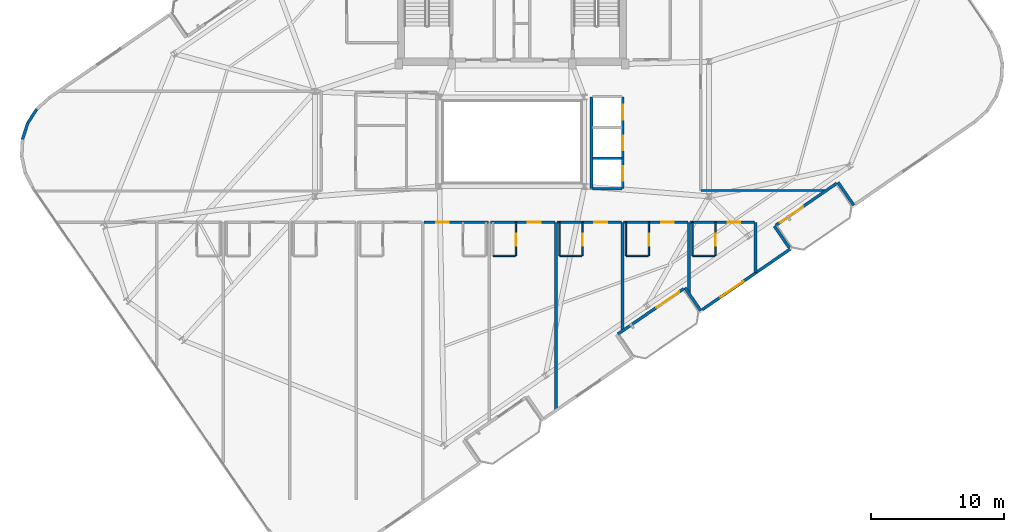
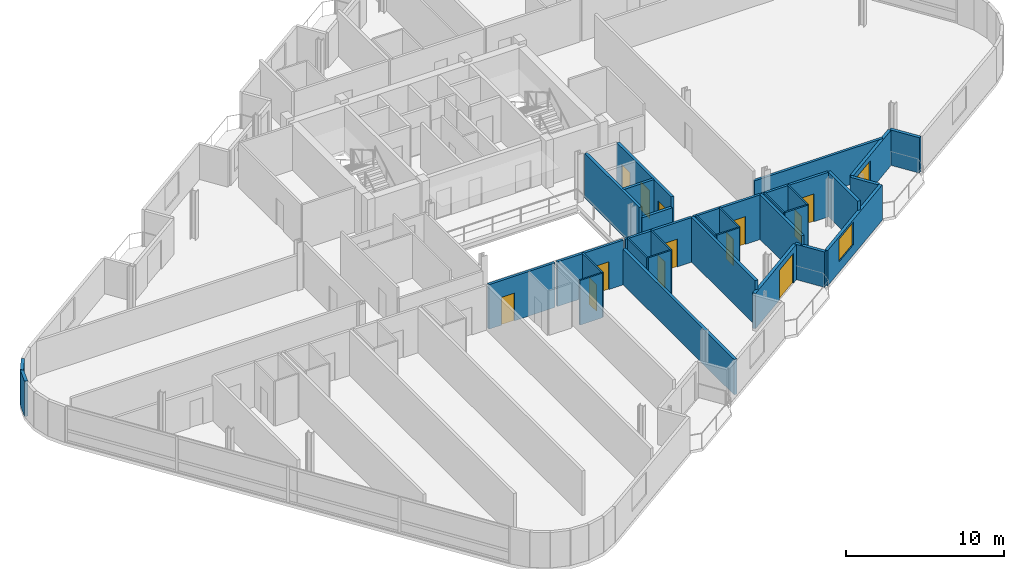
# One storey, part 15 of 22: 33 walls, 14 doors, 1 window, 15 openings.
"""IFC4 building model written with IfcOpenShell, lengths in metres."""

from ifc_helpers import new_model, si_unit, direction, frame, frame_2d, origin, place, context, subcontext, project, spatial, rectangle, extrude, material, layer, layer_set, type_object, element, fill, save


model = new_model("IFC4")

# Units and contexts
model_context = context("Model", 3, precision=1e-05, world=origin(), true_north=direction((0.0, 1.0)))
body_context = subcontext(model_context, "Body", "Model", "MODEL_VIEW")
ifc_project = project(units=[si_unit("LENGTHUNIT", "METRE"), si_unit("AREAUNIT", "SQUARE_METRE"), si_unit("VOLUMEUNIT", "CUBIC_METRE"), si_unit("PLANEANGLEUNIT", "RADIAN"), si_unit("MASSUNIT", "GRAM", prefix="KILO")], contexts=[model_context])

# Site, building, storey
site_placement = place(None, origin())
site = spatial("IfcSite", under=ifc_project, at=site_placement, CompositionType="ELEMENT")
building_placement = place(site_placement, origin())
building = spatial("IfcBuilding", under=site, at=building_placement, Name="Varnelok Gate Tower", CompositionType="ELEMENT")
storey_placement = place(building_placement, frame((0.0, 0.0, 280.39990234375)))
storey = spatial("IfcBuildingStorey", under=building, at=storey_placement, Name="L72", CompositionType="ELEMENT", Elevation=280.39990234375)

# Wall, opening, door
ifc_material_1 = material(Name="Concrete C45/55", Category="concrete")
ifc_layer_1 = layer(ifc_material_1, 0.219970703125)
ifc_layer_set_1 = layer_set([ifc_layer_1], Name="Concrete C45/55")
wall_type_1 = type_object("IfcWallType", Name="EW-BALC-220", PredefinedType="SOLIDWALL", material=ifc_layer_set_1)
wall_1_placement = place(storey_placement, frame((52.102783203125, 11.85693359375, 0.0), z_axis=(0.0, 0.0, 1.0), x_axis=(-0.823534636215, -0.567265989598, 0.0)))
wall_1 = element("IfcWall", 1, at=wall_1_placement, inside=storey, type_object=wall_type_1, Name="L72 South Terrace Envelope Wall 2", PredefinedType="SOLIDWALL", context=body_context, shape_type="SweptSolid", body=[
    extrude(rectangle(XDim=6.0, YDim=0.219970703125, at=frame_2d((3.0, 0.0))), origin(), (0.0, 0.0, 1.0), 2.72998046875),
])
opening_1_placement = place(wall_1_placement, frame((0.39990234375, 0.0, 0.0)))
opening_1 = element("IfcOpeningElement", 2, at=opening_1_placement, cuts=wall_1, Name="Opening BD-2", PredefinedType="OPENING", context=body_context, shape_type="SweptSolid", body=[
    extrude(rectangle(XDim=2.10009765625, YDim=2.300048828125, at=frame_2d((1.050048828125, 1.14990234375))), frame((0.0, 0.119873046875, 0.0), z_axis=(0.0, -1.0, 0.0), x_axis=(1.0, 0.0, 0.0)), (0.0, 0.0, 1.0), 0.239990234375),
])
ifc_material_2 = material(Name="Anodized Aluminum Alloy 6063-T6", Category="aluminium")
door_type_1 = type_object("IfcDoorType", Name="DR-EXT-SLID2100", OperationType="SLIDING_TO_LEFT", PredefinedType="DOOR", material=ifc_material_2)
door_1_placement = place(opening_1_placement, origin())
door_1 = element("IfcDoor", 3, at=door_1_placement, inside=storey, type_object=door_type_1, Name="L72 South Balcony Glazed Door 2", OperationType="SLIDING_TO_LEFT", OverallHeight=2.300048828125, OverallWidth=2.10009765625, PredefinedType="DOOR", context=body_context, shape_type="SweptSolid", body=[
    extrude(rectangle(XDim=2.10009765625, YDim=2.300048828125, at=frame_2d((1.050048828125, 1.14990234375))), frame((0.0, 0.02490234375, 0.0), z_axis=(0.0, -1.0, 0.0), x_axis=(1.0, 0.0, 0.0)), (0.0, 0.0, 1.0), 0.050048828125),
])
fill(opening_1, door_1)

wall_2_placement = place(storey_placement, frame((63.60498046875, 19.780029296875, 0.0), z_axis=(0.0, 0.0, 1.0), x_axis=(-0.823541290762, -0.567256328665, 0.0)))
wall_2 = element("IfcWall", 4, at=wall_2_placement, inside=storey, type_object=wall_type_1, Name="L72 South Terrace Envelope Wall 3", PredefinedType="SOLIDWALL", context=body_context, shape_type="SweptSolid", body=[
    extrude(rectangle(XDim=5.567138671875, YDim=0.219970703125, at=frame_2d((2.78369140625, 0.0))), origin(), (0.0, 0.0, 1.0), 2.72998046875),
])
opening_2_placement = place(wall_2_placement, frame((3.067138671875, 0.0, 0.0)))
opening_2 = element("IfcOpeningElement", 5, at=opening_2_placement, cuts=wall_2, Name="Opening BD-2", PredefinedType="OPENING", context=body_context, shape_type="SweptSolid", body=[
    extrude(rectangle(XDim=2.10009765625, YDim=2.300048828125, at=frame_2d((1.050048828125, 1.14990234375))), frame((0.0, 0.119873046875, 0.0), z_axis=(0.0, -1.0, 0.0), x_axis=(1.0, 0.0, 0.0)), (0.0, 0.0, 1.0), 0.239990234375),
])
door_2_placement = place(opening_2_placement, origin())
door_2 = element("IfcDoor", 6, at=door_2_placement, inside=storey, type_object=door_type_1, Name="L72 South Balcony Glazed Door 3", OperationType="SLIDING_TO_LEFT", OverallHeight=2.300048828125, OverallWidth=2.10009765625, PredefinedType="DOOR", context=body_context, shape_type="SweptSolid", body=[
    extrude(rectangle(XDim=2.10009765625, YDim=2.300048828125, at=frame_2d((1.050048828125, 1.14990234375))), frame((0.0, 0.02490234375, 0.0), z_axis=(0.0, -1.0, 0.0), x_axis=(1.0, 0.0, 0.0)), (0.0, 0.0, 1.0), 0.050048828125),
])
fill(opening_2, door_2)

# Wall
wall_3_placement = place(storey_placement, frame((52.19580078125, 11.933349609375, 0.0), z_axis=(0.0, 0.0, 1.0), x_axis=(0.56729822855, -0.823512428494, 0.0)))
element("IfcWall", 7, at=wall_3_placement, inside=storey, type_object=wall_type_1, Name="L72 Perimeter Facade Closure Wall 12", PredefinedType="SOLIDWALL", context=body_context, shape_type="SweptSolid", body=[
    extrude(rectangle(XDim=2.10009765625, YDim=0.219970703125, at=frame_2d((1.050048828125, 0.0))), origin(), (0.0, 0.0, 1.0), 2.72998046875),
])

# Wall, opening, window
wall_4_placement = place(storey_placement, frame((53.489990234375, 10.27490234375, 0.0), z_axis=(0.0, 0.0, 1.0), x_axis=(0.823530942962, 0.56727135128, 0.0)))
wall_4 = element("IfcWall", 8, at=wall_4_placement, inside=storey, type_object=wall_type_1, Name="L72 Perimeter Facade Closure Wall 13", PredefinedType="SOLIDWALL", context=body_context, shape_type="SweptSolid", body=[
    extrude(rectangle(XDim=8.03515625, YDim=0.219970703125, at=frame_2d((4.017578125, 0.0))), origin(), (0.0, 0.0, 1.0), 2.72998046875),
])
opening_3_placement = place(wall_4_placement, frame((1.661865234375, 0.0, 0.800048828125)))
opening_3 = element("IfcOpeningElement", 9, at=opening_3_placement, cuts=wall_4, Name="Opening WN4", PredefinedType="OPENING", context=body_context, shape_type="SweptSolid", body=[
    extrude(rectangle(XDim=2.10009765625, YDim=1.75, at=frame_2d((1.050048828125, 0.875))), frame((0.0, 0.119873046875, 0.0), z_axis=(0.0, -1.0, 0.0), x_axis=(1.0, 0.0, 0.0)), (0.0, 0.0, 1.0), 0.239990234375),
])
ifc_material_3 = material(Name="Low-E Laminated Double Glazing IGU", Category="glass")
window_type = type_object("IfcWindowType", Name="WN-SUI-2100", PartitioningType="SINGLE_PANEL", PredefinedType="WINDOW", material=ifc_material_3)
window_placement = place(opening_3_placement, origin())
window = element("IfcWindow", 10, at=window_placement, inside=storey, type_object=window_type, Name="L72 Perimeter Vision Window 13", OverallHeight=1.75, OverallWidth=2.10009765625, PartitioningType="SINGLE_PANEL", PredefinedType="WINDOW", context=body_context, shape_type="SweptSolid", body=[
    extrude(rectangle(XDim=2.10009765625, YDim=1.75, at=frame_2d((1.050048828125, 0.875))), frame((0.0, 0.030029296875, 0.0), z_axis=(0.0, -1.0, 0.0), x_axis=(1.0, 0.0, 0.0)), (0.0, 0.0, 1.0), 0.06005859375),
])
fill(opening_3, window)

# Walls
wall_5_placement = place(storey_placement, frame((60.0361328125, 14.935791015625, 0.0), z_axis=(0.0, 0.0, 1.0), x_axis=(-0.567273565974, 0.823529417415, 0.0)))
element("IfcWall", 11, at=wall_5_placement, inside=storey, type_object=wall_type_1, Name="L72 Perimeter Facade Closure Wall 14", PredefinedType="SOLIDWALL", context=body_context, shape_type="SweptSolid", body=[
    extrude(rectangle(XDim=1.97509765625, YDim=0.219970703125, at=frame_2d((0.987548828125, 0.0))), origin(), (0.0, 0.0, 1.0), 2.72998046875),
])
wall_6_placement = place(storey_placement, frame((63.6982421875, 19.8564453125, 0.0), z_axis=(0.0, 0.0, 1.0), x_axis=(0.567219383419, -0.823566737474, 0.0)))
element("IfcWall", 12, at=wall_6_placement, inside=storey, type_object=wall_type_1, Name="L72 Perimeter Facade Closure Wall 15", PredefinedType="SOLIDWALL", context=body_context, shape_type="SweptSolid", body=[
    extrude(rectangle(XDim=2.10009765625, YDim=0.219970703125, at=frame_2d((1.050048828125, 0.0))), origin(), (0.0, 0.0, 1.0), 2.72998046875),
])
for number, where, z_axis, x_axis, name in (
    (13, (3.482421875, 25.3505859375, 0.0), (0.0, 0.0, 1.0), (-0.543778157277, -0.839229000731, 0.0), "L72 Perimeter Facade Closure Wall 40"),
    (14, (2.7958984375, 24.27880859375, 0.0), (0.0, 0.0, 1.0), (-0.30817950344, -0.951328226039, 0.0), "L72 Perimeter Facade Closure Wall 41"),
):
    element("IfcWall", number, at=place(storey_placement, frame(where, z_axis=z_axis, x_axis=x_axis)), inside=storey, type_object=wall_type_1, Name=name, PredefinedType="SOLIDWALL", context=body_context, shape_type="SweptSolid", body=[
        extrude(rectangle(XDim=1.24853515625, YDim=0.219970703125, at=frame_2d((0.624267578125, 0.0))), origin(), (0.0, 0.0, 1.0), 2.72998046875),
    ])

# Wall, opening, door
ifc_material_4 = material(Name="Gypsum Plasterboard Acoustic Partition", Category="gypsum")
ifc_layer_2 = layer(ifc_material_4, 0.179931640625)
ifc_layer_set_2 = layer_set([ifc_layer_2], Name="Gypsum Plasterboard Acoustic Partition")
wall_type_2 = type_object("IfcWallType", Name="PW-CORR-180", PredefinedType="PARTITIONING", material=ifc_layer_set_2)
wall_7_placement = place(storey_placement, frame((32.580078125, 16.85009765625, 0.0), z_axis=(0.0, 0.0, 1.0), x_axis=(1.0, 0.0, 0.0)))
wall_7 = element("IfcWall", 15, at=wall_7_placement, inside=storey, type_object=wall_type_2, Name="Interior Partition", PredefinedType="PARTITIONING", context=body_context, shape_type="SweptSolid", body=[
    extrude(rectangle(XDim=4.83984375, YDim=0.179931640625, at=frame_2d((2.419921875, 0.0))), origin(), (0.0, 0.0, 1.0), 3.4501953125),
])
opening_4_placement = place(wall_7_placement, frame((0.92919921875, 0.0, 0.0)))
opening_4 = element("IfcOpeningElement", 16, at=opening_4_placement, cuts=wall_7, Name="Opening D-HT", PredefinedType="OPENING", context=body_context, shape_type="SweptSolid", body=[
    extrude(rectangle(XDim=0.949951171875, YDim=2.14990234375, at=frame_2d((0.47509765625, 1.074951171875))), frame((0.0, 0.099853515625, 0.0), z_axis=(0.0, -1.0, 0.0), x_axis=(1.0, 0.0, 0.0)), (0.0, 0.0, 1.0), 0.199951171875),
])
ifc_material_5 = material(Name="Engineered Hardwood Timber", Category="wood")
door_type_2 = type_object("IfcDoorType", Name="DR-HTL-950", OperationType="NOTDEFINED", PredefinedType="DOOR", material=ifc_material_5)
door_3_placement = place(opening_4_placement, origin())
door_3 = element("IfcDoor", 17, at=door_3_placement, inside=storey, type_object=door_type_2, Name="L72 Guest Room 06 Entrance Door", OperationType="SINGLE_SWING_LEFT", OverallHeight=2.14990234375, OverallWidth=0.949951171875, PredefinedType="DOOR", context=body_context, shape_type="SweptSolid", body=[
    extrude(rectangle(XDim=0.949951171875, YDim=2.14990234375, at=frame_2d((0.47509765625, 1.074951171875))), frame((0.0, 0.02490234375, 0.0), z_axis=(0.0, -1.0, 0.0), x_axis=(1.0, 0.0, 0.0)), (0.0, 0.0, 1.0), 0.050048828125),
])
fill(opening_4, door_3)

wall_8_placement = place(storey_placement, frame((37.580078125, 16.85009765625, 0.0), z_axis=(0.0, 0.0, 1.0), x_axis=(1.0, 0.0, 0.0)))
wall_8 = element("IfcWall", 18, at=wall_8_placement, inside=storey, type_object=wall_type_2, Name="Interior Partition", PredefinedType="PARTITIONING", context=body_context, shape_type="SweptSolid", body=[
    extrude(rectangle(XDim=4.83984375, YDim=0.179931640625, at=frame_2d((2.419921875, 0.0))), origin(), (0.0, 0.0, 1.0), 3.4501953125),
])
opening_5_placement = place(wall_8_placement, frame((2.819091796875, 0.0, 0.0)))
opening_5 = element("IfcOpeningElement", 19, at=opening_5_placement, cuts=wall_8, Name="Opening D-HT", PredefinedType="OPENING", context=body_context, shape_type="SweptSolid", body=[
    extrude(rectangle(XDim=0.949951171875, YDim=2.14990234375, at=frame_2d((0.47509765625, 1.074951171875))), frame((0.0, 0.099853515625, 0.0), z_axis=(0.0, -1.0, 0.0), x_axis=(1.0, 0.0, 0.0)), (0.0, 0.0, 1.0), 0.199951171875),
])
door_4_placement = place(opening_5_placement, origin())
door_4 = element("IfcDoor", 20, at=door_4_placement, inside=storey, type_object=door_type_2, Name="L72 Guest Room 07 Entrance Door", OperationType="SINGLE_SWING_RIGHT", OverallHeight=2.14990234375, OverallWidth=0.949951171875, PredefinedType="DOOR", context=body_context, shape_type="SweptSolid", body=[
    extrude(rectangle(XDim=0.949951171875, YDim=2.14990234375, at=frame_2d((0.47509765625, 1.074951171875))), frame((0.0, 0.02490234375, 0.0), z_axis=(0.0, -1.0, 0.0), x_axis=(1.0, 0.0, 0.0)), (0.0, 0.0, 1.0), 0.050048828125),
])
fill(opening_5, door_4)

wall_9_placement = place(storey_placement, frame((42.580078125, 16.85009765625, 0.0), z_axis=(0.0, 0.0, 1.0), x_axis=(1.0, 0.0, 0.0)))
wall_9 = element("IfcWall", 21, at=wall_9_placement, inside=storey, type_object=wall_type_2, Name="Interior Partition", PredefinedType="PARTITIONING", context=body_context, shape_type="SweptSolid", body=[
    extrude(rectangle(XDim=4.83984375, YDim=0.179931640625, at=frame_2d((2.419921875, 0.0))), origin(), (0.0, 0.0, 1.0), 3.4501953125),
])
opening_6_placement = place(wall_9_placement, frame((2.819091796875, 0.0, 0.0)))
opening_6 = element("IfcOpeningElement", 22, at=opening_6_placement, cuts=wall_9, Name="Opening D-HT", PredefinedType="OPENING", context=body_context, shape_type="SweptSolid", body=[
    extrude(rectangle(XDim=0.949951171875, YDim=2.14990234375, at=frame_2d((0.47509765625, 1.074951171875))), frame((0.0, 0.099853515625, 0.0), z_axis=(0.0, -1.0, 0.0), x_axis=(1.0, 0.0, 0.0)), (0.0, 0.0, 1.0), 0.199951171875),
])
door_5_placement = place(opening_6_placement, origin())
door_5 = element("IfcDoor", 23, at=door_5_placement, inside=storey, type_object=door_type_2, Name="L72 Guest Room 08 Entrance Door", OperationType="SINGLE_SWING_LEFT", OverallHeight=2.14990234375, OverallWidth=0.949951171875, PredefinedType="DOOR", context=body_context, shape_type="SweptSolid", body=[
    extrude(rectangle(XDim=0.949951171875, YDim=2.14990234375, at=frame_2d((0.47509765625, 1.074951171875))), frame((0.0, 0.02490234375, 0.0), z_axis=(0.0, -1.0, 0.0), x_axis=(1.0, 0.0, 0.0)), (0.0, 0.0, 1.0), 0.050048828125),
])
fill(opening_6, door_5)

wall_10_placement = place(storey_placement, frame((47.580078125, 16.85009765625, 0.0), z_axis=(0.0, 0.0, 1.0), x_axis=(1.0, 0.0, 0.0)))
wall_10 = element("IfcWall", 24, at=wall_10_placement, inside=storey, type_object=wall_type_2, Name="Interior Partition", PredefinedType="PARTITIONING", context=body_context, shape_type="SweptSolid", body=[
    extrude(rectangle(XDim=4.83984375, YDim=0.179931640625, at=frame_2d((2.419921875, 0.0))), origin(), (0.0, 0.0, 1.0), 3.4501953125),
])
opening_7_placement = place(wall_10_placement, frame((2.819091796875, 0.0, 0.0)))
opening_7 = element("IfcOpeningElement", 25, at=opening_7_placement, cuts=wall_10, Name="Opening D-HT", PredefinedType="OPENING", context=body_context, shape_type="SweptSolid", body=[
    extrude(rectangle(XDim=0.949951171875, YDim=2.14990234375, at=frame_2d((0.47509765625, 1.074951171875))), frame((0.0, 0.099853515625, 0.0), z_axis=(0.0, -1.0, 0.0), x_axis=(1.0, 0.0, 0.0)), (0.0, 0.0, 1.0), 0.199951171875),
])
door_6_placement = place(opening_7_placement, origin())
door_6 = element("IfcDoor", 26, at=door_6_placement, inside=storey, type_object=door_type_2, Name="L72 Guest Room 09 Entrance Door", OperationType="SINGLE_SWING_RIGHT", OverallHeight=2.14990234375, OverallWidth=0.949951171875, PredefinedType="DOOR", context=body_context, shape_type="SweptSolid", body=[
    extrude(rectangle(XDim=0.949951171875, YDim=2.14990234375, at=frame_2d((0.47509765625, 1.074951171875))), frame((0.0, 0.02490234375, 0.0), z_axis=(0.0, -1.0, 0.0), x_axis=(1.0, 0.0, 0.0)), (0.0, 0.0, 1.0), 0.050048828125),
])
fill(opening_7, door_6)

wall_11_placement = place(storey_placement, frame((52.580078125, 16.85009765625, 0.0), z_axis=(0.0, 0.0, 1.0), x_axis=(1.0, 0.0, 0.0)))
wall_11 = element("IfcWall", 27, at=wall_11_placement, inside=storey, type_object=wall_type_2, Name="Interior Partition", PredefinedType="PARTITIONING", context=body_context, shape_type="SweptSolid", body=[
    extrude(rectangle(XDim=4.83984375, YDim=0.179931640625, at=frame_2d((2.419921875, 0.0))), origin(), (0.0, 0.0, 1.0), 3.4501953125),
])
opening_8_placement = place(wall_11_placement, frame((2.819091796875, 0.0, 0.0)))
opening_8 = element("IfcOpeningElement", 28, at=opening_8_placement, cuts=wall_11, Name="Opening D-HT", PredefinedType="OPENING", context=body_context, shape_type="SweptSolid", body=[
    extrude(rectangle(XDim=0.949951171875, YDim=2.14990234375, at=frame_2d((0.47509765625, 1.074951171875))), frame((0.0, 0.099853515625, 0.0), z_axis=(0.0, -1.0, 0.0), x_axis=(1.0, 0.0, 0.0)), (0.0, 0.0, 1.0), 0.199951171875),
])
door_7_placement = place(opening_8_placement, origin())
door_7 = element("IfcDoor", 29, at=door_7_placement, inside=storey, type_object=door_type_2, Name="L72 Guest Room 10 Entrance Door", OperationType="SINGLE_SWING_LEFT", OverallHeight=2.14990234375, OverallWidth=0.949951171875, PredefinedType="DOOR", context=body_context, shape_type="SweptSolid", body=[
    extrude(rectangle(XDim=0.949951171875, YDim=2.14990234375, at=frame_2d((0.47509765625, 1.074951171875))), frame((0.0, 0.02490234375, 0.0), z_axis=(0.0, -1.0, 0.0), x_axis=(1.0, 0.0, 0.0)), (0.0, 0.0, 1.0), 0.050048828125),
])
fill(opening_8, door_7)

# Walls
wall_12_placement = place(storey_placement, frame((53.389892578125, 19.239990234375, 0.0), z_axis=(0.0, 0.0, 1.0), x_axis=(1.0, 0.0, 0.0)))
element("IfcWall", 30, at=wall_12_placement, inside=storey, type_object=wall_type_2, Name="Interior Partition", PredefinedType="PARTITIONING", context=body_context, shape_type="SweptSolid", body=[
    extrude(rectangle(XDim=9.378173828125, YDim=0.179931640625, at=frame_2d((4.68896484375, 0.0))), origin(), (0.0, 0.0, 1.0), 2.739013671875),
])
ifc_layer_3 = layer(ifc_material_4, 0.114990234375)
ifc_layer_set_3 = layer_set([ifc_layer_3], Name="Gypsum Plasterboard Acoustic Partition")
wall_type_3 = type_object("IfcWallType", Name="PW-ENS-125", PredefinedType="PARTITIONING", material=ifc_layer_set_3)
wall_13_placement = place(storey_placement, frame((37.800048828125, 14.330078125, 0.0), z_axis=(0.0, 0.0, 1.0), x_axis=(1.0, 0.0, 0.0)))
element("IfcWall", 31, at=wall_13_placement, inside=storey, type_object=wall_type_3, Name="Interior Partition", PredefinedType="PARTITIONING", context=body_context, shape_type="SweptSolid", body=[
    extrude(rectangle(XDim=1.64990234375, YDim=0.114990234375, at=frame_2d((0.824951171875, 0.0))), origin(), (0.0, 0.0, 1.0), 3.4501953125),
])

# Wall, opening, door
wall_14_placement = place(storey_placement, frame((39.489990234375, 14.330078125, 0.0), z_axis=(0.0, 0.0, 1.0), x_axis=(0.0, 1.0, 0.0)))
wall_14 = element("IfcWall", 32, at=wall_14_placement, inside=storey, type_object=wall_type_3, Name="Interior Partition", PredefinedType="PARTITIONING", context=body_context, shape_type="SweptSolid", body=[
    extrude(rectangle(XDim=2.52001953125, YDim=0.114990234375, at=frame_2d((1.260009765625, 0.0))), origin(), (0.0, 0.0, 1.0), 3.4501953125),
])
opening_9_placement = place(wall_14_placement, frame((0.760009765625, 0.0, 0.0)))
opening_9 = element("IfcOpeningElement", 33, at=opening_9_placement, cuts=wall_14, Name="Opening D-WC", PredefinedType="OPENING", context=body_context, shape_type="SweptSolid", body=[
    extrude(rectangle(XDim=0.89990234375, YDim=2.050048828125, at=frame_2d((0.449951171875, 1.02490234375))), frame((0.0, 0.0673828125, 0.0), z_axis=(0.0, -1.0, 0.0), x_axis=(1.0, 0.0, 0.0)), (0.0, 0.0, 1.0), 0.135009765625),
])
door_type_3 = type_object("IfcDoorType", Name="DR-BATH-900", OperationType="NOTDEFINED", PredefinedType="DOOR", material=ifc_material_5)
door_8_placement = place(opening_9_placement, origin())
door_8 = element("IfcDoor", 34, at=door_8_placement, inside=storey, type_object=door_type_3, Name="L72 Guest En-Suite 07 Door", OperationType="SINGLE_SWING_LEFT", OverallHeight=2.050048828125, OverallWidth=0.89990234375, PredefinedType="DOOR", context=body_context, shape_type="SweptSolid", body=[
    extrude(rectangle(XDim=0.89990234375, YDim=2.050048828125, at=frame_2d((0.449951171875, 1.02490234375))), frame((0.0, 0.02490234375, 0.0), z_axis=(0.0, -1.0, 0.0), x_axis=(1.0, 0.0, 0.0)), (0.0, 0.0, 1.0), 0.050048828125),
])
fill(opening_9, door_8)

# Wall
wall_15_placement = place(storey_placement, frame((42.800048828125, 14.330078125, 0.0), z_axis=(0.0, 0.0, 1.0), x_axis=(1.0, 0.0, 0.0)))
element("IfcWall", 35, at=wall_15_placement, inside=storey, type_object=wall_type_3, Name="Interior Partition", PredefinedType="PARTITIONING", context=body_context, shape_type="SweptSolid", body=[
    extrude(rectangle(XDim=1.64990234375, YDim=0.114990234375, at=frame_2d((0.824951171875, 0.0))), origin(), (0.0, 0.0, 1.0), 3.4501953125),
])

# Wall, opening, door
wall_16_placement = place(storey_placement, frame((44.489990234375, 14.330078125, 0.0), z_axis=(0.0, 0.0, 1.0), x_axis=(0.0, 1.0, 0.0)))
wall_16 = element("IfcWall", 36, at=wall_16_placement, inside=storey, type_object=wall_type_3, Name="Interior Partition", PredefinedType="PARTITIONING", context=body_context, shape_type="SweptSolid", body=[
    extrude(rectangle(XDim=2.52001953125, YDim=0.114990234375, at=frame_2d((1.260009765625, 0.0))), origin(), (0.0, 0.0, 1.0), 3.4501953125),
])
opening_10_placement = place(wall_16_placement, frame((0.760009765625, 0.0, 0.0)))
opening_10 = element("IfcOpeningElement", 37, at=opening_10_placement, cuts=wall_16, Name="Opening D-WC", PredefinedType="OPENING", context=body_context, shape_type="SweptSolid", body=[
    extrude(rectangle(XDim=0.89990234375, YDim=2.050048828125, at=frame_2d((0.449951171875, 1.02490234375))), frame((0.0, 0.0673828125, 0.0), z_axis=(0.0, -1.0, 0.0), x_axis=(1.0, 0.0, 0.0)), (0.0, 0.0, 1.0), 0.135009765625),
])
door_9_placement = place(opening_10_placement, origin())
door_9 = element("IfcDoor", 38, at=door_9_placement, inside=storey, type_object=door_type_3, Name="L72 Guest En-Suite 08 Door", OperationType="SINGLE_SWING_LEFT", OverallHeight=2.050048828125, OverallWidth=0.89990234375, PredefinedType="DOOR", context=body_context, shape_type="SweptSolid", body=[
    extrude(rectangle(XDim=0.89990234375, YDim=2.050048828125, at=frame_2d((0.449951171875, 1.02490234375))), frame((0.0, 0.02490234375, 0.0), z_axis=(0.0, -1.0, 0.0), x_axis=(1.0, 0.0, 0.0)), (0.0, 0.0, 1.0), 0.050048828125),
])
fill(opening_10, door_9)

# Walls
wall_17_placement = place(storey_placement, frame((42.760009765625, 14.330078125, 0.0), z_axis=(0.0, 0.0, 1.0), x_axis=(0.0, 1.0, 0.0)))
element("IfcWall", 39, at=wall_17_placement, inside=storey, type_object=wall_type_3, Name="Interior Partition", PredefinedType="PARTITIONING", context=body_context, shape_type="SweptSolid", body=[
    extrude(rectangle(XDim=2.52001953125, YDim=0.114990234375, at=frame_2d((1.260009765625, 0.0))), origin(), (0.0, 0.0, 1.0), 3.4501953125),
])
wall_18_placement = place(storey_placement, frame((47.800048828125, 14.330078125, 0.0), z_axis=(0.0, 0.0, 1.0), x_axis=(1.0, 0.0, 0.0)))
element("IfcWall", 40, at=wall_18_placement, inside=storey, type_object=wall_type_3, Name="Interior Partition", PredefinedType="PARTITIONING", context=body_context, shape_type="SweptSolid", body=[
    extrude(rectangle(XDim=1.64990234375, YDim=0.114990234375, at=frame_2d((0.824951171875, 0.0))), origin(), (0.0, 0.0, 1.0), 3.4501953125),
])

# Wall, opening, door
wall_19_placement = place(storey_placement, frame((49.489990234375, 14.330078125, 0.0), z_axis=(0.0, 0.0, 1.0), x_axis=(0.0, 1.0, 0.0)))
wall_19 = element("IfcWall", 41, at=wall_19_placement, inside=storey, type_object=wall_type_3, Name="Interior Partition", PredefinedType="PARTITIONING", context=body_context, shape_type="SweptSolid", body=[
    extrude(rectangle(XDim=2.52001953125, YDim=0.114990234375, at=frame_2d((1.260009765625, 0.0))), origin(), (0.0, 0.0, 1.0), 3.4501953125),
])
opening_11_placement = place(wall_19_placement, frame((0.760009765625, 0.0, 0.0)))
opening_11 = element("IfcOpeningElement", 42, at=opening_11_placement, cuts=wall_19, Name="Opening D-WC", PredefinedType="OPENING", context=body_context, shape_type="SweptSolid", body=[
    extrude(rectangle(XDim=0.89990234375, YDim=2.050048828125, at=frame_2d((0.449951171875, 1.02490234375))), frame((0.0, 0.0673828125, 0.0), z_axis=(0.0, -1.0, 0.0), x_axis=(1.0, 0.0, 0.0)), (0.0, 0.0, 1.0), 0.135009765625),
])
door_10_placement = place(opening_11_placement, origin())
door_10 = element("IfcDoor", 43, at=door_10_placement, inside=storey, type_object=door_type_3, Name="L72 Guest En-Suite 09 Door", OperationType="SINGLE_SWING_LEFT", OverallHeight=2.050048828125, OverallWidth=0.89990234375, PredefinedType="DOOR", context=body_context, shape_type="SweptSolid", body=[
    extrude(rectangle(XDim=0.89990234375, YDim=2.050048828125, at=frame_2d((0.449951171875, 1.02490234375))), frame((0.0, 0.02490234375, 0.0), z_axis=(0.0, -1.0, 0.0), x_axis=(1.0, 0.0, 0.0)), (0.0, 0.0, 1.0), 0.050048828125),
])
fill(opening_11, door_10)

# Walls
wall_20_placement = place(storey_placement, frame((47.760009765625, 14.330078125, 0.0), z_axis=(0.0, 0.0, 1.0), x_axis=(0.0, 1.0, 0.0)))
element("IfcWall", 44, at=wall_20_placement, inside=storey, type_object=wall_type_3, Name="Interior Partition", PredefinedType="PARTITIONING", context=body_context, shape_type="SweptSolid", body=[
    extrude(rectangle(XDim=2.52001953125, YDim=0.114990234375, at=frame_2d((1.260009765625, 0.0))), origin(), (0.0, 0.0, 1.0), 3.4501953125),
])
wall_21_placement = place(storey_placement, frame((52.800048828125, 14.330078125, 0.0), z_axis=(0.0, 0.0, 1.0), x_axis=(1.0, 0.0, 0.0)))
element("IfcWall", 45, at=wall_21_placement, inside=storey, type_object=wall_type_3, Name="Interior Partition", PredefinedType="PARTITIONING", context=body_context, shape_type="SweptSolid", body=[
    extrude(rectangle(XDim=1.64990234375, YDim=0.114990234375, at=frame_2d((0.824951171875, 0.0))), origin(), (0.0, 0.0, 1.0), 3.4501953125),
])

# Wall, opening, door
wall_22_placement = place(storey_placement, frame((54.489990234375, 14.330078125, 0.0), z_axis=(0.0, 0.0, 1.0), x_axis=(0.0, 1.0, 0.0)))
wall_22 = element("IfcWall", 46, at=wall_22_placement, inside=storey, type_object=wall_type_3, Name="Interior Partition", PredefinedType="PARTITIONING", context=body_context, shape_type="SweptSolid", body=[
    extrude(rectangle(XDim=2.52001953125, YDim=0.114990234375, at=frame_2d((1.260009765625, 0.0))), origin(), (0.0, 0.0, 1.0), 3.4501953125),
])
opening_12_placement = place(wall_22_placement, frame((0.760009765625, 0.0, 0.0)))
opening_12 = element("IfcOpeningElement", 47, at=opening_12_placement, cuts=wall_22, Name="Opening D-WC", PredefinedType="OPENING", context=body_context, shape_type="SweptSolid", body=[
    extrude(rectangle(XDim=0.89990234375, YDim=2.050048828125, at=frame_2d((0.449951171875, 1.02490234375))), frame((0.0, 0.0673828125, 0.0), z_axis=(0.0, -1.0, 0.0), x_axis=(1.0, 0.0, 0.0)), (0.0, 0.0, 1.0), 0.135009765625),
])
door_11_placement = place(opening_12_placement, origin())
door_11 = element("IfcDoor", 48, at=door_11_placement, inside=storey, type_object=door_type_3, Name="L72 Guest En-Suite 10 Door", OperationType="SINGLE_SWING_LEFT", OverallHeight=2.050048828125, OverallWidth=0.89990234375, PredefinedType="DOOR", context=body_context, shape_type="SweptSolid", body=[
    extrude(rectangle(XDim=0.89990234375, YDim=2.050048828125, at=frame_2d((0.449951171875, 1.02490234375))), frame((0.0, 0.02490234375, 0.0), z_axis=(0.0, -1.0, 0.0), x_axis=(1.0, 0.0, 0.0)), (0.0, 0.0, 1.0), 0.050048828125),
])
fill(opening_12, door_11)

# Walls
wall_23_placement = place(storey_placement, frame((52.760009765625, 14.330078125, 0.0), z_axis=(0.0, 0.0, 1.0), x_axis=(0.0, 1.0, 0.0)))
element("IfcWall", 49, at=wall_23_placement, inside=storey, type_object=wall_type_3, Name="Interior Partition", PredefinedType="PARTITIONING", context=body_context, shape_type="SweptSolid", body=[
    extrude(rectangle(XDim=2.52001953125, YDim=0.114990234375, at=frame_2d((1.260009765625, 0.0))), origin(), (0.0, 0.0, 1.0), 3.4501953125),
])
ifc_layer_4 = layer(ifc_material_4, 0.205078125)
ifc_layer_set_4 = layer_set([ifc_layer_4], Name="Gypsum Plasterboard Acoustic Partition")
wall_type_4 = type_object("IfcWallType", Name="PW-PARTY-200", PredefinedType="PARTITIONING", material=ifc_layer_set_4)
wall_24_placement = place(storey_placement, frame((42.5, 2.72900390625, 0.0), z_axis=(0.0, 0.0, 1.0), x_axis=(0.0, 1.0, 0.0)))
element("IfcWall", 50, at=wall_24_placement, inside=storey, type_object=wall_type_4, Name="L72 South Party Wall 7", PredefinedType="PARTITIONING", context=body_context, shape_type="SweptSolid", body=[
    extrude(rectangle(XDim=14.12109375, YDim=0.205078125, at=frame_2d((7.060546875, 0.0))), origin(), (0.0, 0.0, 1.0), 2.739013671875),
])
wall_25_placement = place(storey_placement, frame((47.5, 8.722900390625, 0.0), z_axis=(0.0, 0.0, 1.0), x_axis=(0.0, 1.0, 0.0)))
element("IfcWall", 51, at=wall_25_placement, inside=storey, type_object=wall_type_4, Name="L72 South Party Wall 8", PredefinedType="PARTITIONING", context=body_context, shape_type="SweptSolid", body=[
    extrude(rectangle(XDim=8.127197265625, YDim=0.205078125, at=frame_2d((4.0634765625, 0.0))), origin(), (0.0, 0.0, 1.0), 3.4501953125),
])
wall_26_placement = place(storey_placement, frame((52.5, 11.527099609375, 0.0), z_axis=(0.0, 0.0, 1.0), x_axis=(0.0, 1.0, 0.0)))
element("IfcWall", 52, at=wall_26_placement, inside=storey, type_object=wall_type_4, Name="L72 South Party Wall 9", PredefinedType="PARTITIONING", context=body_context, shape_type="SweptSolid", body=[
    extrude(rectangle(XDim=5.322998046875, YDim=0.205078125, at=frame_2d((2.66162109375, 0.0))), origin(), (0.0, 0.0, 1.0), 3.4501953125),
])
wall_27_placement = place(storey_placement, frame((57.5, 13.061279296875, 0.0), z_axis=(0.0, 0.0, 1.0), x_axis=(0.0, 1.0, 0.0)))
element("IfcWall", 53, at=wall_27_placement, inside=storey, type_object=wall_type_4, Name="L72 South Party Wall 10", PredefinedType="PARTITIONING", context=body_context, shape_type="SweptSolid", body=[
    extrude(rectangle(XDim=3.788818359375, YDim=0.205078125, at=frame_2d((1.89453125, 0.0))), origin(), (0.0, 0.0, 1.0), 3.4501953125),
])
ifc_material_6 = material(Name="Concrete C35/45", Category="concrete")
ifc_layer_5 = layer(ifc_material_6, 0.199951171875)
ifc_layer_set_5 = layer_set([ifc_layer_5], Name="Concrete C35/45")
wall_type_5 = type_object("IfcWallType", Name="PW-SHAFT-200", PredefinedType="PARTITIONING", material=ifc_layer_set_5)
wall_28_placement = place(storey_placement, frame((45.239990234375, 21.675048828125, 0.0), z_axis=(0.0, 0.0, 1.0), x_axis=(1.0, 0.0, 0.0)))
element("IfcWall", 54, at=wall_28_placement, inside=storey, type_object=wall_type_5, Name="L72 PH1 Divider", PredefinedType="PARTITIONING", context=body_context, shape_type="SweptSolid", body=[
    extrude(rectangle(XDim=2.219970703125, YDim=0.199951171875, at=frame_2d((1.10986328125, 0.0))), origin(), (0.0, 0.0, 1.0), 3.4501953125),
])
wall_29_placement = place(storey_placement, frame((45.239990234375, 19.3798828125, 0.0), z_axis=(0.0, 0.0, 1.0), x_axis=(1.0, 0.0, 0.0)))
element("IfcWall", 55, at=wall_29_placement, inside=storey, type_object=wall_type_5, Name="L72 PH Bank South Wall", PredefinedType="PARTITIONING", context=body_context, shape_type="SweptSolid", body=[
    extrude(rectangle(XDim=2.219970703125, YDim=0.199951171875, at=frame_2d((1.10986328125, 0.0))), origin(), (0.0, 0.0, 1.0), 2.662109375),
])
wall_30_placement = place(storey_placement, frame((45.179931640625, 19.3798828125, 0.0), z_axis=(0.0, 0.0, 1.0), x_axis=(0.0, 1.0, 0.0)))
element("IfcWall", 56, at=wall_30_placement, inside=storey, type_object=wall_type_5, Name="L72 PH Bank Atrium Wall", PredefinedType="PARTITIONING", context=body_context, shape_type="SweptSolid", body=[
    extrude(rectangle(XDim=6.900146484375, YDim=0.199951171875, at=frame_2d((3.4501953125, 0.0))), origin(), (0.0, 0.0, 1.0), 3.4501953125),
])

# Wall, openings, doors
wall_31_placement = place(storey_placement, frame((47.52001953125, 19.3798828125, 0.0), z_axis=(0.0, 0.0, 1.0), x_axis=(0.0, 1.0, 0.0)))
wall_31 = element("IfcWall", 57, at=wall_31_placement, inside=storey, type_object=wall_type_5, Name="L72 PH Bank Front Wall", PredefinedType="PARTITIONING", context=body_context, shape_type="SweptSolid", body=[
    extrude(rectangle(XDim=6.900146484375, YDim=0.199951171875, at=frame_2d((3.4501953125, 0.0))), origin(), (0.0, 0.0, 1.0), 3.4501953125),
])
opening_13_placement = place(wall_31_placement, frame((0.590087890625, 0.0, 0.0)))
opening_13 = element("IfcOpeningElement", 58, at=opening_13_placement, cuts=wall_31, Name="Opening LD-PH1", PredefinedType="OPENING", context=body_context, shape_type="SweptSolid", body=[
    extrude(rectangle(XDim=1.10009765625, YDim=2.14990234375, at=frame_2d((0.550048828125, 1.074951171875))), frame((0.0, 0.10986328125, 0.0), z_axis=(0.0, -1.0, 0.0), x_axis=(1.0, 0.0, 0.0)), (0.0, 0.0, 1.0), 0.219970703125),
])
opening_14_placement = place(wall_31_placement, frame((2.889892578125, 0.0, 0.0)))
opening_14 = element("IfcOpeningElement", 59, at=opening_14_placement, cuts=wall_31, Name="Opening LD-PH2", PredefinedType="OPENING", context=body_context, shape_type="SweptSolid", body=[
    extrude(rectangle(XDim=1.10009765625, YDim=2.14990234375, at=frame_2d((0.550048828125, 1.074951171875))), frame((0.0, 0.10986328125, 0.0), z_axis=(0.0, -1.0, 0.0), x_axis=(1.0, 0.0, 0.0)), (0.0, 0.0, 1.0), 0.219970703125),
])
opening_15_placement = place(wall_31_placement, frame((5.18994140625, 0.0, 0.0)))
opening_15 = element("IfcOpeningElement", 60, at=opening_15_placement, cuts=wall_31, Name="Opening LD-PH3", PredefinedType="OPENING", context=body_context, shape_type="SweptSolid", body=[
    extrude(rectangle(XDim=1.10009765625, YDim=2.14990234375, at=frame_2d((0.550048828125, 1.074951171875))), frame((0.0, 0.10986328125, 0.0), z_axis=(0.0, -1.0, 0.0), x_axis=(1.0, 0.0, 0.0)), (0.0, 0.0, 1.0), 0.219970703125),
])
ifc_material_7 = material(Name="Galvanized Steel Grade S350GD", Category="steel")
door_type_4 = type_object("IfcDoorType", Name="DR-LIFT-PAX1100", OperationType="SLIDING_TO_LEFT", PredefinedType="DOOR", material=ifc_material_7)
door_12_placement = place(opening_13_placement, origin())
door_12 = element("IfcDoor", 61, at=door_12_placement, inside=storey, type_object=door_type_4, Name="L72 Passenger Lift Landing Door LD-PH1", OperationType="SLIDING_TO_LEFT", OverallHeight=2.14990234375, OverallWidth=1.10009765625, PredefinedType="DOOR", context=body_context, shape_type="SweptSolid", body=[
    extrude(rectangle(XDim=1.10009765625, YDim=2.14990234375, at=frame_2d((0.550048828125, 1.074951171875))), frame((0.0, 0.02490234375, 0.0), z_axis=(0.0, -1.0, 0.0), x_axis=(1.0, 0.0, 0.0)), (0.0, 0.0, 1.0), 0.050048828125),
])
fill(opening_13, door_12)
door_13_placement = place(opening_14_placement, origin())
door_13 = element("IfcDoor", 62, at=door_13_placement, inside=storey, type_object=door_type_4, Name="L72 Passenger Lift Landing Door LD-PH2", OperationType="SLIDING_TO_LEFT", OverallHeight=2.14990234375, OverallWidth=1.10009765625, PredefinedType="DOOR", context=body_context, shape_type="SweptSolid", body=[
    extrude(rectangle(XDim=1.10009765625, YDim=2.14990234375, at=frame_2d((0.550048828125, 1.074951171875))), frame((0.0, 0.02490234375, 0.0), z_axis=(0.0, -1.0, 0.0), x_axis=(1.0, 0.0, 0.0)), (0.0, 0.0, 1.0), 0.050048828125),
])
fill(opening_14, door_13)
door_14_placement = place(opening_15_placement, origin())
door_14 = element("IfcDoor", 63, at=door_14_placement, inside=storey, type_object=door_type_4, Name="L72 Passenger Lift Landing Door LD-PH3", OperationType="SLIDING_TO_LEFT", OverallHeight=2.14990234375, OverallWidth=1.10009765625, PredefinedType="DOOR", context=body_context, shape_type="SweptSolid", body=[
    extrude(rectangle(XDim=1.10009765625, YDim=2.14990234375, at=frame_2d((0.550048828125, 1.074951171875))), frame((0.0, 0.02490234375, 0.0), z_axis=(0.0, -1.0, 0.0), x_axis=(1.0, 0.0, 0.0)), (0.0, 0.0, 1.0), 0.050048828125),
])
fill(opening_15, door_14)

save(model, "model.ifc")
